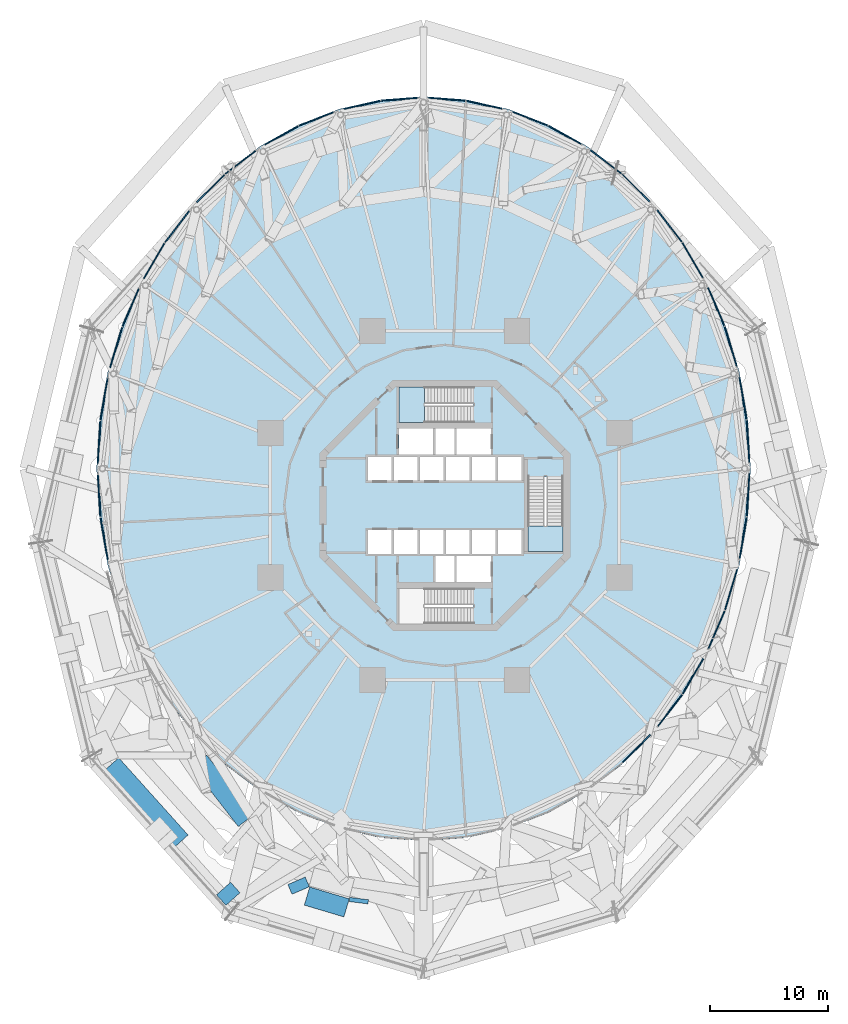
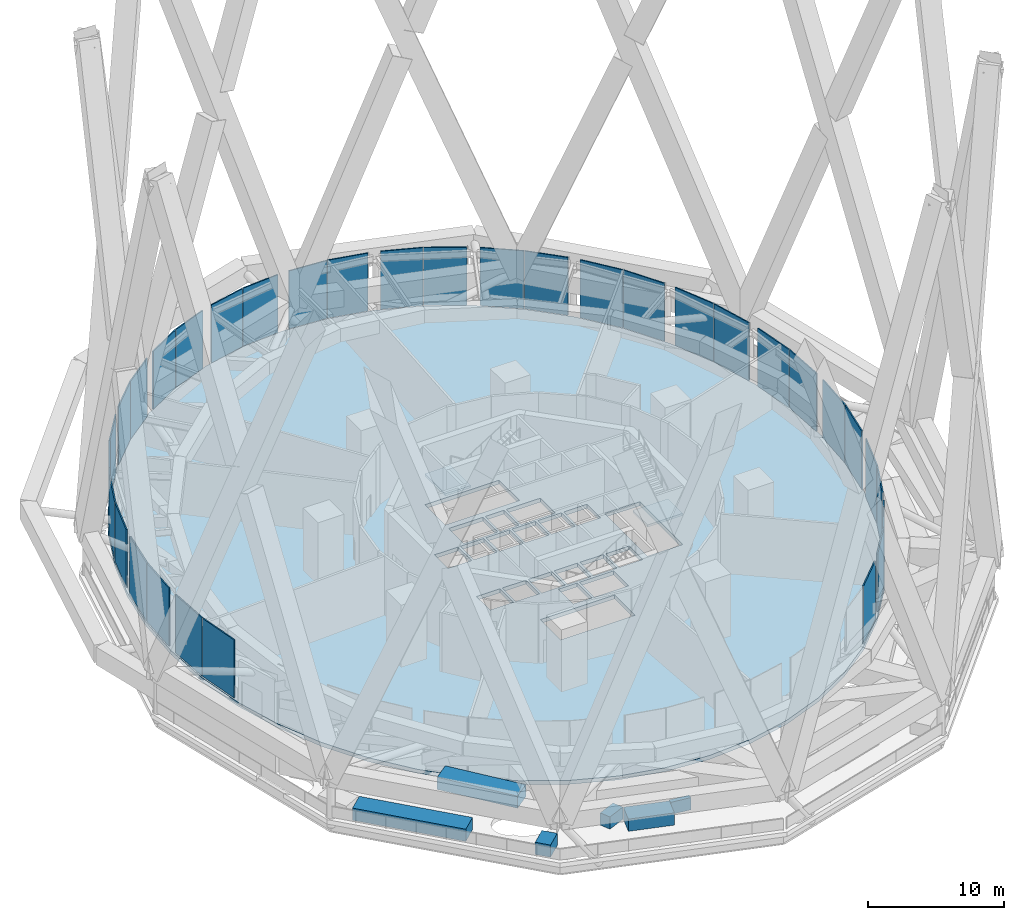
# One storey, part 52 of 65: 33 plates, 6 walls, 3 slabs, 35 elements without a shape of their own.
"""IFC4 building model written with IfcOpenShell, lengths in metres."""

from ifc_helpers import new_model, si_unit, direction, frame, frame_2d, origin, origin_2d, place, context, subcontext, project, spatial, polyline, rectangle, outline, extrude, material, layer, layer_set, type_object, element, aggregate, save


model = new_model("IFC4")

# Units and contexts
model_context = context("Model", 3, precision=1e-05, world=origin(), true_north=direction((0.0, 1.0)))
body_context = subcontext(model_context, "Body", "Model", "MODEL_VIEW")
ifc_project = project(units=[si_unit("LENGTHUNIT", "METRE"), si_unit("AREAUNIT", "SQUARE_METRE"), si_unit("VOLUMEUNIT", "CUBIC_METRE"), si_unit("PLANEANGLEUNIT", "RADIAN"), si_unit("MASSUNIT", "GRAM", prefix="KILO")], contexts=[model_context])

# Site, building, storey
site_placement = place(None, origin())
site = spatial("IfcSite", under=ifc_project, at=site_placement, CompositionType="ELEMENT")
building_placement = place(site_placement, origin())
building = spatial("IfcBuilding", under=site, at=building_placement, Name="Nagisa Residences", CompositionType="ELEMENT")
storey_placement = place(building_placement, frame((0.0, 0.0, 114.0)))
storey = spatial("IfcBuildingStorey", under=building, at=storey_placement, Name="L28", CompositionType="ELEMENT", Elevation=114.0)

# Curtain wall, plate
ifc_material_1 = material(Name="Aluminium curtain wall system", Category="aluminium")
ifc_layer_1 = layer(ifc_material_1, 0.159912109375)
ifc_layer_set_1 = layer_set([ifc_layer_1], Name="CW5 CURTAIN WALL")
curtain_wall_type = type_object("IfcCurtainWallType", Name="CW5 CURTAIN WALL", PredefinedType="NOTDEFINED", material=ifc_layer_set_1)
curtain_wall_1_placement = place(storey_placement, origin())
curtain_wall_1 = element("IfcCurtainWall", 1, at=curtain_wall_1_placement, inside=storey, type_object=curtain_wall_type, Name="cw:CW5:L28:00", PredefinedType="NOTDEFINED")
ifc_material_2 = material(Name="Aluminium louvre", Category="aluminium")
ifc_layer_2 = layer(ifc_material_2, 0.10009765625)
ifc_layer_set_2 = layer_set([ifc_layer_2], Name="CW5 LOUVRE PANEL")
plate_type = type_object("IfcPlateType", Name="CW5 LOUVRE PANEL", PredefinedType="CURTAIN_PANEL", material=ifc_layer_set_2)
plate_1_placement = place(storey_placement, frame((25.681884765625, 5.42431640625, 0.1201171875), z_axis=(0.0, 0.0, 1.0), x_axis=(-0.057503492216, 0.998345305184, 0.0)))
plate_1 = element("IfcPlate", 2, at=plate_1_placement, type_object=plate_type, Name="CW5 panel", PredefinedType="CURTAIN_PANEL", context=body_context, shape_type="SweptSolid", body=[
    extrude(rectangle(XDim=3.6103515625, YDim=0.10009765625, at=origin_2d()), origin(), (0.0, 0.0, 1.0), 5.219970703125),
])
aggregate(curtain_wall_1, [plate_1])

curtain_wall_2_placement = place(storey_placement, origin())
curtain_wall_2 = element("IfcCurtainWall", 3, at=curtain_wall_2_placement, inside=storey, type_object=curtain_wall_type, Name="cw:CW5:L28:01", PredefinedType="NOTDEFINED")
plate_2_placement = place(storey_placement, frame((25.259521484375, 9.046875, 0.1201171875), z_axis=(0.0, 0.0, 1.0), x_axis=(-0.172190868898, 0.985063604377, 0.0)))
plate_2 = element("IfcPlate", 4, at=plate_2_placement, type_object=plate_type, Name="CW5 panel", PredefinedType="CURTAIN_PANEL", context=body_context, shape_type="SweptSolid", body=[
    extrude(rectangle(XDim=3.594482421875, YDim=0.10009765625, at=origin_2d()), origin(), (0.0, 0.0, 1.0), 5.219970703125),
])
aggregate(curtain_wall_2, [plate_2])

curtain_wall_3_placement = place(storey_placement, origin())
curtain_wall_3 = element("IfcCurtainWall", 5, at=curtain_wall_3_placement, inside=storey, type_object=curtain_wall_type, Name="cw:CW5:L28:02", PredefinedType="NOTDEFINED")
plate_3_placement = place(storey_placement, frame((24.219482421875, 13.44775390625, 0.1201171875), z_axis=(0.0, 0.0, 1.0), x_axis=(-0.285860274038, 0.958271310082, 0.0)))
plate_3 = element("IfcPlate", 6, at=plate_3_placement, type_object=plate_type, Name="CW5 panel", PredefinedType="CURTAIN_PANEL", context=body_context, shape_type="SweptSolid", body=[
    extrude(rectangle(XDim=3.5634765625, YDim=0.10009765625, at=origin_2d()), origin(), (0.0, 0.0, 1.0), 5.219970703125),
])
aggregate(curtain_wall_3, [plate_3])

curtain_wall_4_placement = place(storey_placement, origin())
curtain_wall_4 = element("IfcCurtainWall", 7, at=curtain_wall_4_placement, inside=storey, type_object=curtain_wall_type, Name="cw:CW5:L28:03", PredefinedType="NOTDEFINED")
plate_4_placement = place(storey_placement, frame((22.98974609375, 16.81591796875, 0.1201171875), z_axis=(0.0, 0.0, 1.0), x_axis=(-0.397635934147, 0.917543276295, 0.0)))
plate_4 = element("IfcPlate", 8, at=plate_4_placement, type_object=plate_type, Name="CW5 panel", PredefinedType="CURTAIN_PANEL", context=body_context, shape_type="SweptSolid", body=[
    extrude(rectangle(XDim=3.51953125, YDim=0.10009765625, at=origin_2d()), origin(), (0.0, 0.0, 1.0), 5.219970703125),
])
aggregate(curtain_wall_4, [plate_4])

curtain_wall_5_placement = place(storey_placement, origin())
curtain_wall_5 = element("IfcCurtainWall", 9, at=curtain_wall_5_placement, inside=storey, type_object=curtain_wall_type, Name="cw:CW5:L28:04", PredefinedType="NOTDEFINED")
plate_5_placement = place(storey_placement, frame((20.980224609375, 20.768310546875, 0.1201171875), z_axis=(0.0, 0.0, 1.0), x_axis=(-0.506348567002, 0.862328898214, 0.0)))
plate_5 = element("IfcPlate", 10, at=plate_5_placement, type_object=plate_type, Name="CW5 panel", PredefinedType="CURTAIN_PANEL", context=body_context, shape_type="SweptSolid", body=[
    extrude(rectangle(XDim=3.46484375, YDim=0.10009765625, at=origin_2d()), origin(), (0.0, 0.0, 1.0), 5.219970703125),
])
aggregate(curtain_wall_5, [plate_5])

curtain_wall_6_placement = place(storey_placement, origin())
curtain_wall_6 = element("IfcCurtainWall", 11, at=curtain_wall_6_placement, inside=storey, type_object=curtain_wall_type, Name="cw:CW5:L28:05", PredefinedType="NOTDEFINED")
plate_6_placement = place(storey_placement, frame((19.033203125, 23.649169921875, 0.1201171875), z_axis=(0.0, 0.0, 1.0), x_axis=(-0.610429828235, 0.792070340816, 0.0)))
plate_6 = element("IfcPlate", 12, at=plate_6_placement, type_object=plate_type, Name="CW5 panel", PredefinedType="CURTAIN_PANEL", context=body_context, shape_type="SweptSolid", body=[
    extrude(rectangle(XDim=3.403076171875, YDim=0.10009765625, at=origin_2d()), origin(), (0.0, 0.0, 1.0), 5.219970703125),
])
aggregate(curtain_wall_6, [plate_6])

curtain_wall_7_placement = place(storey_placement, origin())
curtain_wall_7 = element("IfcCurtainWall", 13, at=curtain_wall_7_placement, inside=storey, type_object=curtain_wall_type, Name="cw:CW5:L28:06", PredefinedType="NOTDEFINED")
plate_7_placement = place(storey_placement, frame((16.1845703125, 26.884765625, 0.1201171875), z_axis=(0.0, 0.0, 1.0), x_axis=(-0.707835924016, 0.706376885714, 0.0)))
plate_7 = element("IfcPlate", 14, at=plate_7_placement, type_object=plate_type, Name="CW5 panel", PredefinedType="CURTAIN_PANEL", context=body_context, shape_type="SweptSolid", body=[
    extrude(rectangle(XDim=3.337890625, YDim=0.10009765625, at=origin_2d()), origin(), (0.0, 0.0, 1.0), 5.219970703125),
])
aggregate(curtain_wall_7, [plate_7])

curtain_wall_8_placement = place(storey_placement, origin())
curtain_wall_8 = element("IfcCurtainWall", 15, at=curtain_wall_8_placement, inside=storey, type_object=curtain_wall_type, Name="cw:CW5:L28:07", PredefinedType="NOTDEFINED")
plate_8_placement = place(storey_placement, frame((13.660400390625, 29.083740234375, 0.1201171875), z_axis=(0.0, 0.0, 1.0), x_axis=(-0.79603132756, 0.605255421737, 0.0)))
plate_8 = element("IfcPlate", 16, at=plate_8_placement, type_object=plate_type, Name="CW5 panel", PredefinedType="CURTAIN_PANEL", context=body_context, shape_type="SweptSolid", body=[
    extrude(rectangle(XDim=3.27392578125, YDim=0.10009765625, at=origin_2d()), origin(), (0.0, 0.0, 1.0), 5.219970703125),
])
aggregate(curtain_wall_8, [plate_8])

curtain_wall_9_placement = place(storey_placement, origin())
curtain_wall_9 = element("IfcCurtainWall", 17, at=curtain_wall_9_placement, inside=storey, type_object=curtain_wall_type, Name="cw:CW5:L28:08", PredefinedType="NOTDEFINED")
plate_9_placement = place(storey_placement, frame((10.161376953125, 31.377197265625, 0.1201171875), z_axis=(0.0, 0.0, 1.0), x_axis=(-0.872072377523, 0.489376918501, 0.0)))
plate_9 = element("IfcPlate", 18, at=plate_9_placement, type_object=plate_type, Name="CW5 panel", PredefinedType="CURTAIN_PANEL", context=body_context, shape_type="SweptSolid", body=[
    extrude(rectangle(XDim=3.2158203125, YDim=0.10009765625, at=origin_2d()), origin(), (0.0, 0.0, 1.0), 5.219970703125),
])
aggregate(curtain_wall_9, [plate_9])

curtain_wall_10_placement = place(storey_placement, origin())
curtain_wall_10 = element("IfcCurtainWall", 19, at=curtain_wall_10_placement, inside=storey, type_object=curtain_wall_type, Name="cw:CW5:L28:09", PredefinedType="NOTDEFINED")
plate_10_placement = place(storey_placement, frame((7.236328125, 32.75146484375, 0.1201171875), z_axis=(0.0, 0.0, 1.0), x_axis=(-0.932825759707, 0.360327770268, 0.0)))
plate_10 = element("IfcPlate", 20, at=plate_10_placement, type_object=plate_type, Name="CW5 panel", PredefinedType="CURTAIN_PANEL", context=body_context, shape_type="SweptSolid", body=[
    extrude(rectangle(XDim=3.16748046875, YDim=0.10009765625, at=origin_2d()), origin(), (0.0, 0.0, 1.0), 5.219970703125),
])
aggregate(curtain_wall_10, [plate_10])

curtain_wall_11_placement = place(storey_placement, origin())
curtain_wall_11 = element("IfcCurtainWall", 21, at=curtain_wall_11_placement, inside=storey, type_object=curtain_wall_type, Name="cw:CW5:L28:10", PredefinedType="NOTDEFINED")
plate_11_placement = place(storey_placement, frame((3.3251953125, 33.939208984375, 0.1201171875), z_axis=(0.0, 0.0, 1.0), x_axis=(-0.975327274089, 0.2207639201, 0.0)))
plate_11 = element("IfcPlate", 22, at=plate_11_placement, type_object=plate_type, Name="CW5 panel", PredefinedType="CURTAIN_PANEL", context=body_context, shape_type="SweptSolid", body=[
    extrude(rectangle(XDim=3.133056640625, YDim=0.10009765625, at=origin_2d()), origin(), (0.0, 0.0, 1.0), 5.219970703125),
])
aggregate(curtain_wall_11, [plate_11])

curtain_wall_12_placement = place(storey_placement, origin())
curtain_wall_12 = element("IfcCurtainWall", 23, at=curtain_wall_12_placement, inside=storey, type_object=curtain_wall_type, Name="cw:CW5:L28:11", PredefinedType="NOTDEFINED")
plate_12_placement = place(storey_placement, frame((0.196044921875, 34.403564453125, 0.1201171875), z_axis=(0.0, 0.0, 1.0), x_axis=(-0.997230168512, 0.074377355493, 0.0)))
plate_12 = element("IfcPlate", 24, at=plate_12_placement, type_object=plate_type, Name="CW5 panel", PredefinedType="CURTAIN_PANEL", context=body_context, shape_type="SweptSolid", body=[
    extrude(rectangle(XDim=3.114990234375, YDim=0.10009765625, at=origin_2d()), origin(), (0.0, 0.0, 1.0), 5.219970703125),
])
aggregate(curtain_wall_12, [plate_12])

curtain_wall_13_placement = place(storey_placement, origin())
curtain_wall_13 = element("IfcCurtainWall", 25, at=curtain_wall_13_placement, inside=storey, type_object=curtain_wall_type, Name="cw:CW5:L28:12", PredefinedType="NOTDEFINED")
plate_13_placement = place(storey_placement, frame((-3.855712890625, 34.399169921875, 0.1201171875), z_axis=(0.0, 0.0, 1.0), x_axis=(-0.997230168512, -0.074377355493, 0.0)))
plate_13 = element("IfcPlate", 26, at=plate_13_placement, type_object=plate_type, Name="CW5 panel", PredefinedType="CURTAIN_PANEL", context=body_context, shape_type="SweptSolid", body=[
    extrude(rectangle(XDim=3.114990234375, YDim=0.10009765625, at=origin_2d()), origin(), (0.0, 0.0, 1.0), 5.219970703125),
])
aggregate(curtain_wall_13, [plate_13])

curtain_wall_14_placement = place(storey_placement, origin())
curtain_wall_14 = element("IfcCurtainWall", 27, at=curtain_wall_14_placement, inside=storey, type_object=curtain_wall_type, Name="cw:CW5:L28:13", PredefinedType="NOTDEFINED")
plate_14_placement = place(storey_placement, frame((-6.983642578125, 33.926025390625, 0.1201171875), z_axis=(0.0, 0.0, 1.0), x_axis=(-0.975327274089, -0.2207639201, 0.0)))
plate_14 = element("IfcPlate", 28, at=plate_14_placement, type_object=plate_type, Name="CW5 panel", PredefinedType="CURTAIN_PANEL", context=body_context, shape_type="SweptSolid", body=[
    extrude(rectangle(XDim=3.133056640625, YDim=0.10009765625, at=origin_2d()), origin(), (0.0, 0.0, 1.0), 5.219970703125),
])
aggregate(curtain_wall_14, [plate_14])

curtain_wall_15_placement = place(storey_placement, origin())
curtain_wall_15 = element("IfcCurtainWall", 29, at=curtain_wall_15_placement, inside=storey, type_object=curtain_wall_type, Name="cw:CW5:L28:14", PredefinedType="NOTDEFINED")
plate_15_placement = place(storey_placement, frame((-10.892333984375, 32.729736328125, 0.1201171875), z_axis=(0.0, 0.0, 1.0), x_axis=(-0.932825759707, -0.360327770268, 0.0)))
plate_15 = element("IfcPlate", 30, at=plate_15_placement, type_object=plate_type, Name="CW5 panel", PredefinedType="CURTAIN_PANEL", context=body_context, shape_type="SweptSolid", body=[
    extrude(rectangle(XDim=3.16748046875, YDim=0.10009765625, at=origin_2d()), origin(), (0.0, 0.0, 1.0), 5.219970703125),
])
aggregate(curtain_wall_15, [plate_15])

curtain_wall_16_placement = place(storey_placement, origin())
curtain_wall_16 = element("IfcCurtainWall", 31, at=curtain_wall_16_placement, inside=storey, type_object=curtain_wall_type, Name="cw:CW5:L28:15", PredefinedType="NOTDEFINED")
plate_16_placement = place(storey_placement, frame((-13.813720703125, 31.347900390625, 0.1201171875), z_axis=(0.0, 0.0, 1.0), x_axis=(-0.872072377523, -0.489376918501, 0.0)))
plate_16 = element("IfcPlate", 32, at=plate_16_placement, type_object=plate_type, Name="CW5 panel", PredefinedType="CURTAIN_PANEL", context=body_context, shape_type="SweptSolid", body=[
    extrude(rectangle(XDim=3.2158203125, YDim=0.10009765625, at=origin_2d()), origin(), (0.0, 0.0, 1.0), 5.219970703125),
])
aggregate(curtain_wall_16, [plate_16])

curtain_wall_17_placement = place(storey_placement, origin())
curtain_wall_17 = element("IfcCurtainWall", 33, at=curtain_wall_17_placement, inside=storey, type_object=curtain_wall_type, Name="cw:CW5:L28:16", PredefinedType="NOTDEFINED")
plate_17_placement = place(storey_placement, frame((-17.30810546875, 29.04736328125, 0.1201171875), z_axis=(0.0, 0.0, 1.0), x_axis=(-0.79603132756, -0.605255421737, 0.0)))
plate_17 = element("IfcPlate", 34, at=plate_17_placement, type_object=plate_type, Name="CW5 panel", PredefinedType="CURTAIN_PANEL", context=body_context, shape_type="SweptSolid", body=[
    extrude(rectangle(XDim=3.27392578125, YDim=0.10009765625, at=origin_2d()), origin(), (0.0, 0.0, 1.0), 5.219970703125),
])
aggregate(curtain_wall_17, [plate_17])

curtain_wall_18_placement = place(storey_placement, origin())
curtain_wall_18 = element("IfcCurtainWall", 35, at=curtain_wall_18_placement, inside=storey, type_object=curtain_wall_type, Name="cw:CW5:L28:17", PredefinedType="NOTDEFINED")
plate_18_placement = place(storey_placement, frame((-19.826904296875, 26.84228515625, 0.1201171875), z_axis=(0.0, 0.0, 1.0), x_axis=(-0.707835924016, -0.706376885714, 0.0)))
plate_18 = element("IfcPlate", 36, at=plate_18_placement, type_object=plate_type, Name="CW5 panel", PredefinedType="CURTAIN_PANEL", context=body_context, shape_type="SweptSolid", body=[
    extrude(rectangle(XDim=3.337890625, YDim=0.10009765625, at=origin_2d()), origin(), (0.0, 0.0, 1.0), 5.219970703125),
])
aggregate(curtain_wall_18, [plate_18])

curtain_wall_19_placement = place(storey_placement, origin())
curtain_wall_19 = element("IfcCurtainWall", 37, at=curtain_wall_19_placement, inside=storey, type_object=curtain_wall_type, Name="cw:CW5:L28:18", PredefinedType="NOTDEFINED")
plate_19_placement = place(storey_placement, frame((-22.669921875, 23.6015625, 0.1201171875), z_axis=(0.0, 0.0, 1.0), x_axis=(-0.610429828235, -0.792070340816, 0.0)))
plate_19 = element("IfcPlate", 38, at=plate_19_placement, type_object=plate_type, Name="CW5 panel", PredefinedType="CURTAIN_PANEL", context=body_context, shape_type="SweptSolid", body=[
    extrude(rectangle(XDim=3.403076171875, YDim=0.10009765625, at=origin_2d()), origin(), (0.0, 0.0, 1.0), 5.219970703125),
])
aggregate(curtain_wall_19, [plate_19])

curtain_wall_20_placement = place(storey_placement, origin())
curtain_wall_20 = element("IfcCurtainWall", 39, at=curtain_wall_20_placement, inside=storey, type_object=curtain_wall_type, Name="cw:CW5:L28:19", PredefinedType="NOTDEFINED")
plate_20_placement = place(storey_placement, frame((-24.610595703125, 20.716552734375, 0.1201171875), z_axis=(0.0, 0.0, 1.0), x_axis=(-0.506348567002, -0.862328898214, 0.0)))
plate_20 = element("IfcPlate", 40, at=plate_20_placement, type_object=plate_type, Name="CW5 panel", PredefinedType="CURTAIN_PANEL", context=body_context, shape_type="SweptSolid", body=[
    extrude(rectangle(XDim=3.46484375, YDim=0.10009765625, at=origin_2d()), origin(), (0.0, 0.0, 1.0), 5.219970703125),
])
aggregate(curtain_wall_20, [plate_20])

curtain_wall_21_placement = place(storey_placement, origin())
curtain_wall_21 = element("IfcCurtainWall", 41, at=curtain_wall_21_placement, inside=storey, type_object=curtain_wall_type, Name="cw:CW5:L28:20", PredefinedType="NOTDEFINED")
plate_21_placement = place(storey_placement, frame((-26.61376953125, 16.7607421875, 0.1201171875), z_axis=(0.0, 0.0, 1.0), x_axis=(-0.397635934147, -0.917543276295, 0.0)))
plate_21 = element("IfcPlate", 42, at=plate_21_placement, type_object=plate_type, Name="CW5 panel", PredefinedType="CURTAIN_PANEL", context=body_context, shape_type="SweptSolid", body=[
    extrude(rectangle(XDim=3.51953125, YDim=0.10009765625, at=origin_2d()), origin(), (0.0, 0.0, 1.0), 5.219970703125),
])
aggregate(curtain_wall_21, [plate_21])

curtain_wall_22_placement = place(storey_placement, origin())
curtain_wall_22 = element("IfcCurtainWall", 43, at=curtain_wall_22_placement, inside=storey, type_object=curtain_wall_type, Name="cw:CW5:L28:21", PredefinedType="NOTDEFINED")
plate_22_placement = place(storey_placement, frame((-27.836669921875, 13.39013671875, 0.1201171875), z_axis=(0.0, 0.0, 1.0), x_axis=(-0.285860274038, -0.958271310082, 0.0)))
plate_22 = element("IfcPlate", 44, at=plate_22_placement, type_object=plate_type, Name="CW5 panel", PredefinedType="CURTAIN_PANEL", context=body_context, shape_type="SweptSolid", body=[
    extrude(rectangle(XDim=3.5634765625, YDim=0.10009765625, at=origin_2d()), origin(), (0.0, 0.0, 1.0), 5.219970703125),
])
aggregate(curtain_wall_22, [plate_22])

curtain_wall_23_placement = place(storey_placement, origin())
curtain_wall_23 = element("IfcCurtainWall", 45, at=curtain_wall_23_placement, inside=storey, type_object=curtain_wall_type, Name="cw:CW5:L28:22", PredefinedType="NOTDEFINED")
plate_23_placement = place(storey_placement, frame((-28.869873046875, 8.98779296875, 0.1201171875), z_axis=(0.0, 0.0, 1.0), x_axis=(-0.172190868898, -0.985063604377, 0.0)))
plate_23 = element("IfcPlate", 46, at=plate_23_placement, type_object=plate_type, Name="CW5 panel", PredefinedType="CURTAIN_PANEL", context=body_context, shape_type="SweptSolid", body=[
    extrude(rectangle(XDim=3.594482421875, YDim=0.10009765625, at=origin_2d()), origin(), (0.0, 0.0, 1.0), 5.219970703125),
])
aggregate(curtain_wall_23, [plate_23])

curtain_wall_24_placement = place(storey_placement, origin())
curtain_wall_24 = element("IfcCurtainWall", 47, at=curtain_wall_24_placement, inside=storey, type_object=curtain_wall_type, Name="cw:CW5:L28:23", PredefinedType="NOTDEFINED")
plate_24_placement = place(storey_placement, frame((-29.285400390625, 5.364501953125, 0.1201171875), z_axis=(0.0, 0.0, 1.0), x_axis=(-0.057503492216, -0.998345305184, 0.0)))
plate_24 = element("IfcPlate", 48, at=plate_24_placement, type_object=plate_type, Name="CW5 panel", PredefinedType="CURTAIN_PANEL", context=body_context, shape_type="SweptSolid", body=[
    extrude(rectangle(XDim=3.6103515625, YDim=0.10009765625, at=origin_2d()), origin(), (0.0, 0.0, 1.0), 5.219970703125),
])
aggregate(curtain_wall_24, [plate_24])

curtain_wall_25_placement = place(storey_placement, origin())
curtain_wall_25 = element("IfcCurtainWall", 49, at=curtain_wall_25_placement, inside=storey, type_object=curtain_wall_type, Name="cw:CW5:L28:24", PredefinedType="NOTDEFINED")
plate_25_placement = place(storey_placement, frame((-29.281982421875, 0.81103515625, 0.1201171875), z_axis=(0.0, 0.0, 1.0), x_axis=(0.057503492216, -0.998345305184, 0.0)))
plate_25 = element("IfcPlate", 50, at=plate_25_placement, type_object=plate_type, Name="CW5 panel", PredefinedType="CURTAIN_PANEL", context=body_context, shape_type="SweptSolid", body=[
    extrude(rectangle(XDim=3.6103515625, YDim=0.10009765625, at=origin_2d()), origin(), (0.0, 0.0, 1.0), 5.219970703125),
])
aggregate(curtain_wall_25, [plate_25])

curtain_wall_26_placement = place(storey_placement, origin())
curtain_wall_26 = element("IfcCurtainWall", 51, at=curtain_wall_26_placement, inside=storey, type_object=curtain_wall_type, Name="cw:CW5:L28:25", PredefinedType="NOTDEFINED")
plate_26_placement = place(storey_placement, frame((-28.859375, -2.8115234375, 0.1201171875), z_axis=(0.0, 0.0, 1.0), x_axis=(0.172190868898, -0.985063604377, 0.0)))
plate_26 = element("IfcPlate", 52, at=plate_26_placement, type_object=plate_type, Name="CW5 panel", PredefinedType="CURTAIN_PANEL", context=body_context, shape_type="SweptSolid", body=[
    extrude(rectangle(XDim=3.594482421875, YDim=0.10009765625, at=origin_2d()), origin(), (0.0, 0.0, 1.0), 5.219970703125),
])
aggregate(curtain_wall_26, [plate_26])

curtain_wall_27_placement = place(storey_placement, origin())
curtain_wall_27 = element("IfcCurtainWall", 53, at=curtain_wall_27_placement, inside=storey, type_object=curtain_wall_type, Name="cw:CW5:L28:41", PredefinedType="NOTDEFINED")
plate_27_placement = place(storey_placement, frame((16.22705078125, -20.60693359375, 0.1201171875), z_axis=(0.0, 0.0, 1.0), x_axis=(0.707835924016, 0.706376885714, 0.0)))
plate_27 = element("IfcPlate", 54, at=plate_27_placement, type_object=plate_type, Name="CW5 panel", PredefinedType="CURTAIN_PANEL", context=body_context, shape_type="SweptSolid", body=[
    extrude(rectangle(XDim=3.337890625, YDim=0.10009765625, at=origin_2d()), origin(), (0.0, 0.0, 1.0), 5.219970703125),
])
aggregate(curtain_wall_27, [plate_27])

curtain_wall_28_placement = place(storey_placement, origin())
curtain_wall_28 = element("IfcCurtainWall", 55, at=curtain_wall_28_placement, inside=storey, type_object=curtain_wall_type, Name="cw:CW5:L28:42", PredefinedType="NOTDEFINED")
plate_28_placement = place(storey_placement, frame((19.06982421875, -17.3662109375, 0.1201171875), z_axis=(0.0, 0.0, 1.0), x_axis=(0.610429828235, 0.792070340816, 0.0)))
plate_28 = element("IfcPlate", 56, at=plate_28_placement, type_object=plate_type, Name="CW5 panel", PredefinedType="CURTAIN_PANEL", context=body_context, shape_type="SweptSolid", body=[
    extrude(rectangle(XDim=3.403076171875, YDim=0.10009765625, at=origin_2d()), origin(), (0.0, 0.0, 1.0), 5.219970703125),
])
aggregate(curtain_wall_28, [plate_28])

curtain_wall_29_placement = place(storey_placement, origin())
curtain_wall_29 = element("IfcCurtainWall", 57, at=curtain_wall_29_placement, inside=storey, type_object=curtain_wall_type, Name="cw:CW5:L28:43", PredefinedType="NOTDEFINED")
plate_29_placement = place(storey_placement, frame((21.010498046875, -14.481201171875, 0.1201171875), z_axis=(0.0, 0.0, 1.0), x_axis=(0.506348567002, 0.862328898214, 0.0)))
plate_29 = element("IfcPlate", 58, at=plate_29_placement, type_object=plate_type, Name="CW5 panel", PredefinedType="CURTAIN_PANEL", context=body_context, shape_type="SweptSolid", body=[
    extrude(rectangle(XDim=3.46484375, YDim=0.10009765625, at=origin_2d()), origin(), (0.0, 0.0, 1.0), 5.219970703125),
])
aggregate(curtain_wall_29, [plate_29])

curtain_wall_30_placement = place(storey_placement, origin())
curtain_wall_30 = element("IfcCurtainWall", 59, at=curtain_wall_30_placement, inside=storey, type_object=curtain_wall_type, Name="cw:CW5:L28:44", PredefinedType="NOTDEFINED")
plate_30_placement = place(storey_placement, frame((23.013671875, -10.525390625, 0.1201171875), z_axis=(0.0, 0.0, 1.0), x_axis=(0.397635934147, 0.917543276295, 0.0)))
plate_30 = element("IfcPlate", 60, at=plate_30_placement, type_object=plate_type, Name="CW5 panel", PredefinedType="CURTAIN_PANEL", context=body_context, shape_type="SweptSolid", body=[
    extrude(rectangle(XDim=3.51953125, YDim=0.10009765625, at=origin_2d()), origin(), (0.0, 0.0, 1.0), 5.219970703125),
])
aggregate(curtain_wall_30, [plate_30])

curtain_wall_31_placement = place(storey_placement, origin())
curtain_wall_31 = element("IfcCurtainWall", 61, at=curtain_wall_31_placement, inside=storey, type_object=curtain_wall_type, Name="cw:CW5:L28:45", PredefinedType="NOTDEFINED")
plate_31_placement = place(storey_placement, frame((24.236572265625, -7.15478515625, 0.1201171875), z_axis=(0.0, 0.0, 1.0), x_axis=(0.285860274038, 0.958271310082, 0.0)))
plate_31 = element("IfcPlate", 62, at=plate_31_placement, type_object=plate_type, Name="CW5 panel", PredefinedType="CURTAIN_PANEL", context=body_context, shape_type="SweptSolid", body=[
    extrude(rectangle(XDim=3.5634765625, YDim=0.10009765625, at=origin_2d()), origin(), (0.0, 0.0, 1.0), 5.219970703125),
])
aggregate(curtain_wall_31, [plate_31])

curtain_wall_32_placement = place(storey_placement, origin())
curtain_wall_32 = element("IfcCurtainWall", 63, at=curtain_wall_32_placement, inside=storey, type_object=curtain_wall_type, Name="cw:CW5:L28:46", PredefinedType="NOTDEFINED")
plate_32_placement = place(storey_placement, frame((25.269775390625, -2.75244140625, 0.1201171875), z_axis=(0.0, 0.0, 1.0), x_axis=(0.172190868898, 0.985063604377, 0.0)))
plate_32 = element("IfcPlate", 64, at=plate_32_placement, type_object=plate_type, Name="CW5 panel", PredefinedType="CURTAIN_PANEL", context=body_context, shape_type="SweptSolid", body=[
    extrude(rectangle(XDim=3.594482421875, YDim=0.10009765625, at=origin_2d()), origin(), (0.0, 0.0, 1.0), 5.219970703125),
])
aggregate(curtain_wall_32, [plate_32])

curtain_wall_33_placement = place(storey_placement, origin())
curtain_wall_33 = element("IfcCurtainWall", 65, at=curtain_wall_33_placement, inside=storey, type_object=curtain_wall_type, Name="cw:CW5:L28:47", PredefinedType="NOTDEFINED")
plate_33_placement = place(storey_placement, frame((25.685546875, 0.870849609375, 0.1201171875), z_axis=(0.0, 0.0, 1.0), x_axis=(0.057503492216, 0.998345305184, 0.0)))
plate_33 = element("IfcPlate", 66, at=plate_33_placement, type_object=plate_type, Name="CW5 panel", PredefinedType="CURTAIN_PANEL", context=body_context, shape_type="SweptSolid", body=[
    extrude(rectangle(XDim=3.6103515625, YDim=0.10009765625, at=origin_2d()), origin(), (0.0, 0.0, 1.0), 5.219970703125),
])
aggregate(curtain_wall_33, [plate_33])

# Slab
ifc_material_3 = material(Name="Concrete C40", Category="concrete")
ifc_layer_3 = layer(ifc_material_3, 0.35009765625)
ifc_layer_set_3 = layer_set([ifc_layer_3], Name="Floor slab 350")
slab_type_1 = type_object("IfcSlabType", Name="Floor slab 350", PredefinedType="FLOOR", material=ifc_layer_set_3)
slab_1_placement = place(storey_placement, frame((0.0, 0.0, -0.35009765625)))
element("IfcSlab", 67, at=slab_1_placement, inside=storey, type_object=slab_type_1, Name="slab:L28:floor", PredefinedType="FLOOR", context=body_context, shape_type="SweptSolid", body=[
    extrude(outline(polyline([(25.89501953125, 3.11767578125), (25.657958984375, 7.231201171875), (24.951416015625, 11.2744140625), (23.786865234375, 15.177978515625), (22.1845703125, 18.875244140625), (20.171875, 22.302734375), (17.783203125, 25.402099609375), (15.0595703125, 28.1201171875), (12.047607421875, 30.410400390625), (8.79833984375, 32.233642578125), (5.367919921875, 33.558837890625), (1.81494140625, 34.363037109375), (-1.800048828125, 34.6328125), (-5.4150390625, 34.363037109375), (-8.968017578125, 33.558837890625), (-12.3984375, 32.233642578125), (-15.6474609375, 30.410400390625), (-18.65966796875, 28.1201171875), (-21.38330078125, 25.402099609375), (-23.77197265625, 22.302734375), (-25.78466796875, 18.875244140625), (-27.386962890625, 15.177978515625), (-28.55126953125, 11.2744140625), (-29.258056640625, 7.231201171875), (-29.4951171875, 3.11767578125), (-29.258056640625, -0.995849609375), (-28.55126953125, -5.0390625), (-27.386962890625, -8.942626953125), (-25.78466796875, -12.639892578125), (-23.77197265625, -16.0673828125), (-21.38330078125, -19.166748046875), (-18.65966796875, -21.884765625), (-15.6474609375, -24.175048828125), (-12.3984375, -25.998291015625), (-8.968017578125, -27.323486328125), (-5.4150390625, -28.127685546875), (-1.800048828125, -28.397216796875), (1.81494140625, -28.127685546875), (5.367919921875, -27.323486328125), (8.79833984375, -25.998291015625), (12.047607421875, -24.175048828125), (15.0595703125, -21.884765625), (17.783203125, -19.166748046875), (20.171875, -16.0673828125), (22.1845703125, -12.639892578125), (23.786865234375, -8.942626953125), (24.951416015625, -5.0390625), (25.657958984375, -0.995849609375), (25.89501953125, 3.11767578125)]), holes=[polyline([(-4.5, 2.10009765625), (-4.5, 4.10009765625), (-6.5, 4.10009765625), (-6.5, 2.10009765625), (-4.5, 2.10009765625)]), polyline([(-2.300048828125, 2.10009765625), (-2.300048828125, 4.10009765625), (-4.300048828125, 4.10009765625), (-4.300048828125, 2.10009765625), (-2.300048828125, 2.10009765625)]), polyline([(-0.10009765625, 2.10009765625), (-0.10009765625, 4.10009765625), (-2.10009765625, 4.10009765625), (-2.10009765625, 2.10009765625), (-0.10009765625, 2.10009765625)]), polyline([(2.10009765625, 2.10009765625), (2.10009765625, 4.10009765625), (0.10009765625, 4.10009765625), (0.10009765625, 2.10009765625), (2.10009765625, 2.10009765625)]), polyline([(4.300048828125, 2.10009765625), (4.300048828125, 4.10009765625), (2.300048828125, 4.10009765625), (2.300048828125, 2.10009765625), (4.300048828125, 2.10009765625)]), polyline([(6.5, 2.10009765625), (6.5, 4.10009765625), (4.5, 4.10009765625), (4.5, 2.10009765625), (6.5, 2.10009765625)]), polyline([(-4.5, -4.10009765625), (-4.5, -2.10009765625), (-6.5, -2.10009765625), (-6.5, -4.10009765625), (-4.5, -4.10009765625)]), polyline([(-2.300048828125, -4.10009765625), (-2.300048828125, -2.10009765625), (-4.300048828125, -2.10009765625), (-4.300048828125, -4.10009765625), (-2.300048828125, -4.10009765625)]), polyline([(-0.10009765625, -4.10009765625), (-0.10009765625, -2.10009765625), (-2.10009765625, -2.10009765625), (-2.10009765625, -4.10009765625), (-0.10009765625, -4.10009765625)]), polyline([(2.10009765625, -4.10009765625), (2.10009765625, -2.10009765625), (0.10009765625, -2.10009765625), (0.10009765625, -4.10009765625), (2.10009765625, -4.10009765625)]), polyline([(4.300048828125, -4.10009765625), (4.300048828125, -2.10009765625), (2.300048828125, -2.10009765625), (2.300048828125, -4.10009765625), (4.300048828125, -4.10009765625)]), polyline([(6.5, -4.10009765625), (6.5, -2.10009765625), (4.5, -2.10009765625), (4.5, -4.10009765625), (6.5, -4.10009765625)]), polyline([(3.89990234375, 4.300048828125), (3.89990234375, 6.5), (1.0, 6.5), (1.0, 4.300048828125), (3.89990234375, 4.300048828125)]), polyline([(3.89990234375, -6.5), (3.89990234375, -4.300048828125), (1.0, -4.300048828125), (1.0, -6.5), (3.89990234375, -6.5)]), polyline([(-1.0, 4.300048828125), (-1.0, 6.5), (-3.89990234375, 6.5), (-3.89990234375, 4.300048828125), (-1.0, 4.300048828125)]), polyline([(0.800048828125, 4.300048828125), (0.800048828125, 6.5), (-0.800048828125, 6.5), (-0.800048828125, 4.300048828125), (0.800048828125, 4.300048828125)]), polyline([(0.800048828125, -6.5), (0.800048828125, -4.300048828125), (-0.800048828125, -4.300048828125), (-0.800048828125, -6.5), (0.800048828125, -6.5)]), polyline([(10.024658203125, -3.89990234375), (7.024658203125, -3.89990234375), (7.024658203125, 2.425048828125), (10.024658203125, 2.425048828125), (10.024658203125, -3.89990234375)]), polyline([(-3.89990234375, 7.024658203125), (-3.89990234375, 10.024658203125), (2.425048828125, 10.024658203125), (2.425048828125, 7.024658203125), (-3.89990234375, 7.024658203125)]), polyline([(-3.89990234375, -10.024658203125), (-3.89990234375, -7.024658203125), (2.425048828125, -7.024658203125), (2.425048828125, -10.024658203125), (-3.89990234375, -10.024658203125)])]), origin(), (0.0, 0.0, 1.0), 0.35009765625),
])

# Stair, slab
ifc_material_4 = material(Name="Concrete C60", Category="concrete")
stair_type = type_object("IfcStairType", Name="Exit stair", PredefinedType="HALF_TURN_STAIR", material=ifc_material_4)
stair_1_placement = place(storey_placement, origin())
stair_1 = element("IfcStair", 68, at=stair_1_placement, inside=storey, type_object=stair_type, Name="L28 Exit stair E", PredefinedType="HALF_TURN_STAIR")
ifc_material_5 = material(Name="Concrete C60", Category="concrete")
ifc_layer_4 = layer(ifc_material_5, 0.199951171875)
ifc_layer_set_4 = layer_set([ifc_layer_4], Name="Stair landing")
slab_type_2 = type_object("IfcSlabType", Name="Stair landing", PredefinedType="LANDING", material=ifc_layer_set_4)
slab_2_placement = place(storey_placement, frame((0.0, 0.0, 2.60009765625)))
slab_2 = element("IfcSlab", 69, at=slab_2_placement, type_object=slab_type_2, Name="ST-E landing 1", PredefinedType="LANDING", context=body_context, shape_type="SweptSolid", body=[
    extrude(outline(polyline([(7.024658203125, -1.72509765625), (7.024658203125, -3.89990234375), (10.024658203125, -3.89990234375), (10.024658203125, -1.72509765625), (7.024658203125, -1.72509765625)])), origin(), (0.0, 0.0, 1.0), 0.199951171875),
])
aggregate(stair_1, [slab_2])

stair_2_placement = place(storey_placement, origin())
stair_2 = element("IfcStair", 70, at=stair_2_placement, inside=storey, type_object=stair_type, Name="L28 Exit stair N", PredefinedType="HALF_TURN_STAIR")
slab_3_placement = place(storey_placement, frame((0.0, 0.0, 2.60009765625)))
slab_3 = element("IfcSlab", 71, at=slab_3_placement, type_object=slab_type_2, Name="ST-N landing 1", PredefinedType="LANDING", context=body_context, shape_type="SweptSolid", body=[
    extrude(outline(polyline([(-1.72509765625, 10.024658203125), (-3.89990234375, 10.024658203125), (-3.89990234375, 7.024658203125), (-1.72509765625, 7.024658203125), (-1.72509765625, 10.024658203125)])), origin(), (0.0, 0.0, 1.0), 0.199951171875),
])
aggregate(stair_2, [slab_3])

# Walls
ifc_material_6 = material(Name="Precast concrete C30/37", Category="concrete")
ifc_layer_5 = layer(ifc_material_6, 1.60009765625)
ifc_layer_set_5 = layer_set([ifc_layer_5], Name="PLANTER")
wall_type = type_object("IfcWallType", Name="PLANTER", PredefinedType="SOLIDWALL", material=ifc_layer_set_5)
wall_1_placement = place(storey_placement, frame((-22.3369140625, -28.447998046875, 0.0), z_axis=(0.0, 0.0, 1.0), x_axis=(-0.668392521247, 0.743808737204, 0.0)))
element("IfcWall", 72, at=wall_1_placement, inside=storey, type_object=wall_type, Name="planter:L28:deck007", PredefinedType="SOLIDWALL", context=body_context, shape_type="SweptSolid", body=[
    extrude(rectangle(XDim=8.795654296875, YDim=1.60009765625, at=frame_2d((4.39794921875, 0.0))), origin(), (0.0, 0.0, 1.0), 1.10009765625),
])
wall_2_placement = place(storey_placement, frame((-20.794921875, -21.64013671875, 0.0), z_axis=(0.0, 0.0, 1.0), x_axis=(0.61315518922, -0.789962476281, 0.0)))
element("IfcWall", 73, at=wall_2_placement, inside=storey, type_object=wall_type, Name="planter:L28:deck008", PredefinedType="SOLIDWALL", context=body_context, shape_type="SweptSolid", body=[
    extrude(rectangle(XDim=6.415283203125, YDim=1.60009765625, at=frame_2d((3.20751953125, 0.0))), origin(), (0.0, 0.0, 1.0), 1.10009765625),
])
wall_3_placement = place(storey_placement, frame((-17.94384765625, -33.336669921875, 0.0), z_axis=(0.0, 0.0, 1.0), x_axis=(-0.668421474194, 0.743782718834, 0.0)))
element("IfcWall", 74, at=wall_3_placement, inside=storey, type_object=wall_type, Name="planter:L28:deck009", PredefinedType="SOLIDWALL", context=body_context, shape_type="SweptSolid", body=[
    extrude(rectangle(XDim=1.192138671875, YDim=1.60009765625, at=frame_2d((0.59619140625, 0.0))), origin(), (0.0, 0.0, 1.0), 1.10009765625),
])
wall_4_placement = place(storey_placement, frame((-12.205078125, -32.61328125, 0.0), z_axis=(0.0, 0.0, 1.0), x_axis=(-0.397209288534, 0.917728054002, 0.0)))
element("IfcWall", 75, at=wall_4_placement, inside=storey, type_object=wall_type, Name="planter:L28:deck119", PredefinedType="SOLIDWALL", context=body_context, shape_type="SweptSolid", body=[
    extrude(rectangle(XDim=0.89501953125, YDim=1.60009765625, at=frame_2d((0.447509765625, 0.0))), origin(), (0.0, 0.0, 1.0), 1.10009765625),
])
wall_5_placement = place(storey_placement, frame((-8.32080078125, -34.085693359375, 0.0), z_axis=(0.0, 0.0, 1.0), x_axis=(-0.958299498705, 0.285765762087, 0.0)))
element("IfcWall", 76, at=wall_5_placement, inside=storey, type_object=wall_type, Name="planter:L28:deck121", PredefinedType="SOLIDWALL", context=body_context, shape_type="SweptSolid", body=[
    extrude(rectangle(XDim=3.49755859375, YDim=1.60009765625, at=frame_2d((1.748779296875, 0.0))), origin(), (0.0, 0.0, 1.0), 1.10009765625),
])
wall_6_placement = place(storey_placement, frame((-7.26318359375, -33.29638671875, 0.0), z_axis=(0.0, 0.0, 1.0), x_axis=(-0.125207156486, -0.992130620415, 0.0)))
element("IfcWall", 77, at=wall_6_placement, inside=storey, type_object=wall_type, Name="planter:L28:deck122", PredefinedType="SOLIDWALL", context=body_context, shape_type="SweptSolid", body=[
    extrude(rectangle(XDim=0.35888671875, YDim=1.60009765625, at=frame_2d((0.179443359375, 0.0))), origin(), (0.0, 0.0, 1.0), 1.10009765625),
])

save(model, "model.ifc")
